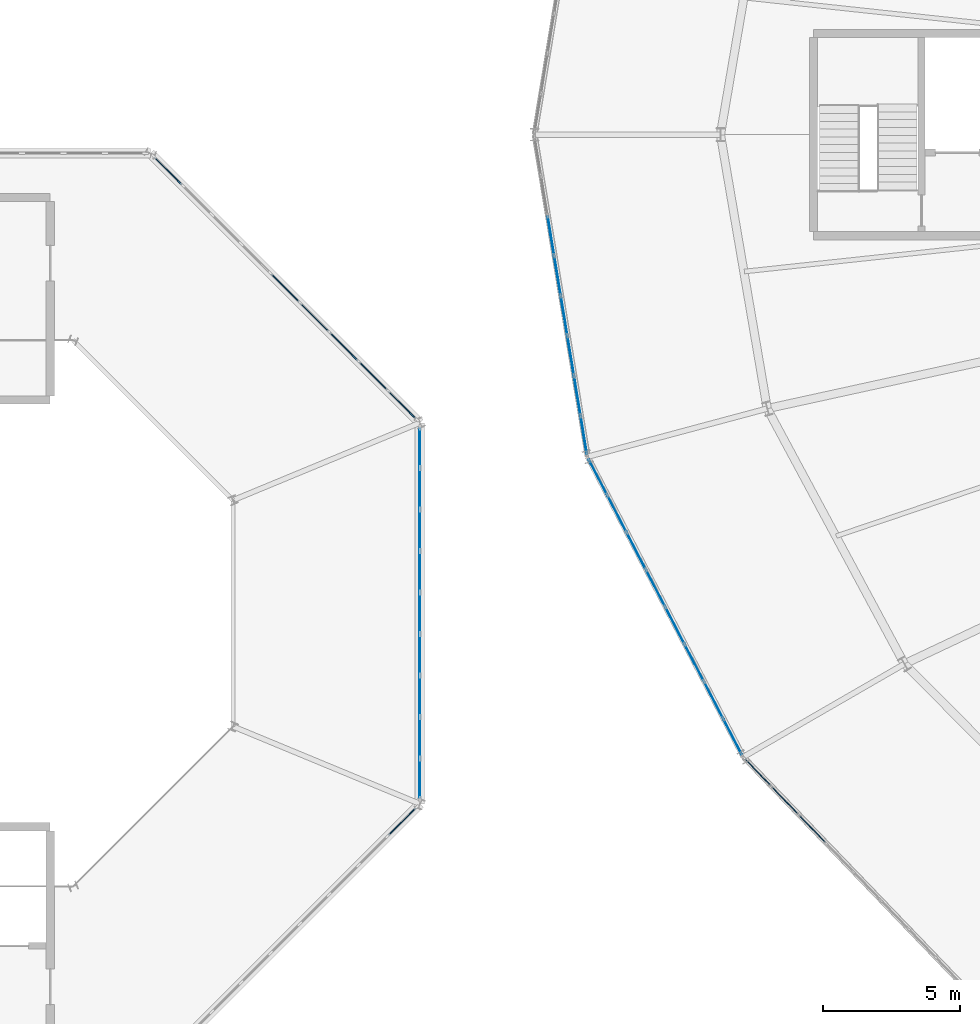
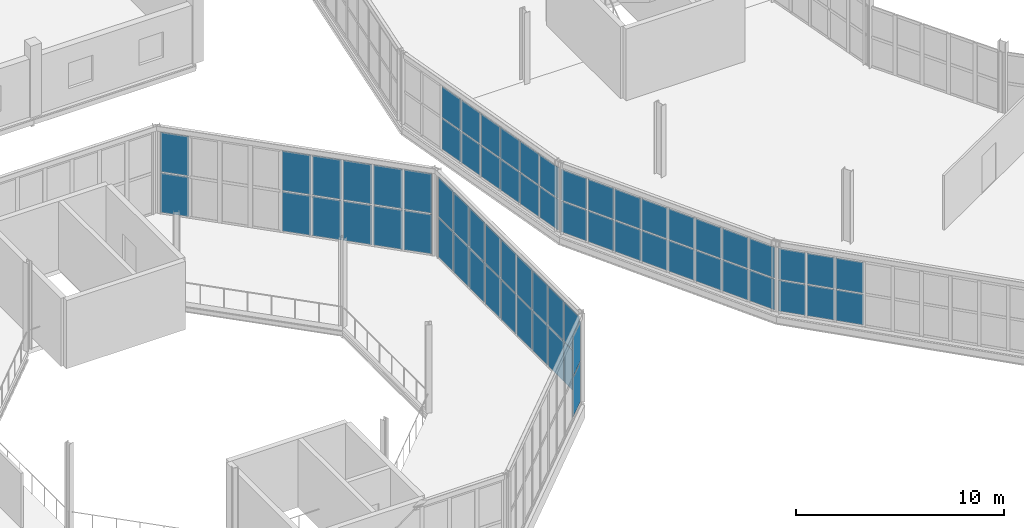
# One storey, part 112 of 161: 66 plates, 6 elements without a shape of their own.
"""IFC4 building model written with IfcOpenShell, lengths in metres."""

from ifc_helpers import new_model, si_unit, direction, frame, origin, origin_2d, place, context, subcontext, project, spatial, rectangle, extrude, material, layer, layer_set, type_object, element, aggregate, save


model = new_model("IFC4")

# Units and contexts
model_context = context("Model", 3, precision=1e-05, world=origin(), true_north=direction((0.0, 1.0)))
body_context = subcontext(model_context, "Body", "Model", "MODEL_VIEW")
ifc_project = project(units=[si_unit("LENGTHUNIT", "METRE"), si_unit("AREAUNIT", "SQUARE_METRE"), si_unit("VOLUMEUNIT", "CUBIC_METRE"), si_unit("PLANEANGLEUNIT", "RADIAN"), si_unit("MASSUNIT", "GRAM", prefix="KILO")], contexts=[model_context])

# Site, building, storey
site_placement = place(None, origin())
site = spatial("IfcSite", under=ifc_project, at=site_placement, CompositionType="ELEMENT")
building_placement = place(site_placement, origin())
building = spatial("IfcBuilding", under=site, at=building_placement, Name="Kildeholm Park Wholesale Market", CompositionType="ELEMENT")
storey_placement = place(building_placement, frame((0.0, 0.0, 5.39990234375)))
storey = spatial("IfcBuildingStorey", under=building, at=storey_placement, Name="L01", CompositionType="ELEMENT", Elevation=5.39990234375)

# Curtain wall, plates
ifc_material_1 = material(Name="Anodised aluminium and low-E double-glazed glass", Category="aluminium")
curtain_wall_type_1 = type_object("IfcCurtainWallType", Name="Market hall glazed arcade stick curtain wall CW-01", PredefinedType="NOTDEFINED", material=ifc_material_1)
curtain_wall_1_placement = place(storey_placement, origin())
curtain_wall_1 = element("IfcCurtainWall", 1, at=curtain_wall_1_placement, inside=storey, type_object=curtain_wall_type_1, Name="Curtain wall CW-V1-OT-12-1 CW-0059", PredefinedType="NOTDEFINED")
ifc_material_2 = material(Name="Double-glazed low-E insulated glass", Category="glass")
ifc_layer_1 = layer(ifc_material_2, 0.028076171875)
ifc_layer_set_1 = layer_set([ifc_layer_1], Name="Double-glazed low-E insulated glass")
plate_type_1 = type_object("IfcPlateType", Name="Curtain-wall panel CWP-1 28 mm", PredefinedType="CURTAIN_PANEL", material=ifc_layer_set_1)
plate_1_placement = place(storey_placement, frame((42.602783203125, 85.804443359375, 0.06494140625), z_axis=(0.0, 0.0, 1.0), x_axis=(0.162702713317, -0.98667513756, 0.0)))
plate_1 = element("IfcPlate", 2, at=plate_1_placement, type_object=plate_type_1, Name="CW-01 panel 3.1 PLT-0948", PredefinedType="CURTAIN_PANEL", context=body_context, shape_type="SweptSolid", body=[
    extrude(rectangle(XDim=1.4169921875, YDim=0.028076171875, at=origin_2d()), origin(), (0.0, 0.0, 1.0), 1.802490234375),
])
plate_2_placement = place(storey_placement, frame((42.602783203125, 85.804443359375, 1.9326171875), z_axis=(0.0, 0.0, 1.0), x_axis=(0.162702713317, -0.98667513756, 0.0)))
plate_2 = element("IfcPlate", 3, at=plate_2_placement, type_object=plate_type_1, Name="CW-01 panel 3.2 PLT-0949", PredefinedType="CURTAIN_PANEL", context=body_context, shape_type="SweptSolid", body=[
    extrude(rectangle(XDim=1.4169921875, YDim=0.028076171875, at=origin_2d()), origin(), (0.0, 0.0, 1.0), 1.802490234375),
])
plate_3_placement = place(storey_placement, frame((42.843994140625, 84.342041015625, 0.06494140625), z_axis=(0.0, 0.0, 1.0), x_axis=(0.162702713317, -0.98667513756, 0.0)))
plate_3 = element("IfcPlate", 4, at=plate_3_placement, type_object=plate_type_1, Name="CW-01 panel 4.1 PLT-0950", PredefinedType="CURTAIN_PANEL", context=body_context, shape_type="SweptSolid", body=[
    extrude(rectangle(XDim=1.4169921875, YDim=0.028076171875, at=origin_2d()), origin(), (0.0, 0.0, 1.0), 1.802490234375),
])
plate_4_placement = place(storey_placement, frame((42.843994140625, 84.342041015625, 1.9326171875), z_axis=(0.0, 0.0, 1.0), x_axis=(0.162702713317, -0.98667513756, 0.0)))
plate_4 = element("IfcPlate", 5, at=plate_4_placement, type_object=plate_type_1, Name="CW-01 panel 4.2 PLT-0951", PredefinedType="CURTAIN_PANEL", context=body_context, shape_type="SweptSolid", body=[
    extrude(rectangle(XDim=1.4169921875, YDim=0.028076171875, at=origin_2d()), origin(), (0.0, 0.0, 1.0), 1.802490234375),
])
plate_5_placement = place(storey_placement, frame((43.0849609375, 82.8798828125, 0.06494140625), z_axis=(0.0, 0.0, 1.0), x_axis=(0.162702713317, -0.98667513756, 0.0)))
plate_5 = element("IfcPlate", 6, at=plate_5_placement, type_object=plate_type_1, Name="CW-01 panel 5.1 PLT-0952", PredefinedType="CURTAIN_PANEL", context=body_context, shape_type="SweptSolid", body=[
    extrude(rectangle(XDim=1.4169921875, YDim=0.028076171875, at=origin_2d()), origin(), (0.0, 0.0, 1.0), 1.802490234375),
])
plate_6_placement = place(storey_placement, frame((43.0849609375, 82.8798828125, 1.9326171875), z_axis=(0.0, 0.0, 1.0), x_axis=(0.162702713317, -0.98667513756, 0.0)))
plate_6 = element("IfcPlate", 7, at=plate_6_placement, type_object=plate_type_1, Name="CW-01 panel 5.2 PLT-0953", PredefinedType="CURTAIN_PANEL", context=body_context, shape_type="SweptSolid", body=[
    extrude(rectangle(XDim=1.4169921875, YDim=0.028076171875, at=origin_2d()), origin(), (0.0, 0.0, 1.0), 1.802490234375),
])
plate_7_placement = place(storey_placement, frame((43.326171875, 81.417724609375, 0.06494140625), z_axis=(0.0, 0.0, 1.0), x_axis=(0.162702713317, -0.98667513756, 0.0)))
plate_7 = element("IfcPlate", 8, at=plate_7_placement, type_object=plate_type_1, Name="CW-01 panel 6.1 PLT-0954", PredefinedType="CURTAIN_PANEL", context=body_context, shape_type="SweptSolid", body=[
    extrude(rectangle(XDim=1.4169921875, YDim=0.028076171875, at=origin_2d()), origin(), (0.0, 0.0, 1.0), 1.802490234375),
])
plate_8_placement = place(storey_placement, frame((43.326171875, 81.417724609375, 1.9326171875), z_axis=(0.0, 0.0, 1.0), x_axis=(0.162702713317, -0.98667513756, 0.0)))
plate_8 = element("IfcPlate", 9, at=plate_8_placement, type_object=plate_type_1, Name="CW-01 panel 6.2 PLT-0955", PredefinedType="CURTAIN_PANEL", context=body_context, shape_type="SweptSolid", body=[
    extrude(rectangle(XDim=1.4169921875, YDim=0.028076171875, at=origin_2d()), origin(), (0.0, 0.0, 1.0), 1.802490234375),
])
plate_9_placement = place(storey_placement, frame((43.5673828125, 79.955322265625, 0.06494140625), z_axis=(0.0, 0.0, 1.0), x_axis=(0.162702713317, -0.98667513756, 0.0)))
plate_9 = element("IfcPlate", 10, at=plate_9_placement, type_object=plate_type_1, Name="CW-01 panel 7.1 PLT-0956", PredefinedType="CURTAIN_PANEL", context=body_context, shape_type="SweptSolid", body=[
    extrude(rectangle(XDim=1.4169921875, YDim=0.028076171875, at=origin_2d()), origin(), (0.0, 0.0, 1.0), 1.802490234375),
])
plate_10_placement = place(storey_placement, frame((43.5673828125, 79.955322265625, 1.9326171875), z_axis=(0.0, 0.0, 1.0), x_axis=(0.162702713317, -0.98667513756, 0.0)))
plate_10 = element("IfcPlate", 11, at=plate_10_placement, type_object=plate_type_1, Name="CW-01 panel 7.2 PLT-0957", PredefinedType="CURTAIN_PANEL", context=body_context, shape_type="SweptSolid", body=[
    extrude(rectangle(XDim=1.4169921875, YDim=0.028076171875, at=origin_2d()), origin(), (0.0, 0.0, 1.0), 1.802490234375),
])
plate_11_placement = place(storey_placement, frame((43.805908203125, 78.50927734375, 0.06494140625), z_axis=(0.0, 0.0, 1.0), x_axis=(0.162702713317, -0.98667513756, 0.0)))
plate_11 = element("IfcPlate", 12, at=plate_11_placement, type_object=plate_type_1, Name="CW-01 panel 8.1 PLT-0958", PredefinedType="CURTAIN_PANEL", context=body_context, shape_type="SweptSolid", body=[
    extrude(rectangle(XDim=1.384521484375, YDim=0.028076171875, at=origin_2d()), origin(), (0.0, 0.0, 1.0), 1.802490234375),
])
plate_12_placement = place(storey_placement, frame((43.805908203125, 78.50927734375, 1.9326171875), z_axis=(0.0, 0.0, 1.0), x_axis=(0.162702713317, -0.98667513756, 0.0)))
plate_12 = element("IfcPlate", 13, at=plate_12_placement, type_object=plate_type_1, Name="CW-01 panel 8.2 PLT-0959", PredefinedType="CURTAIN_PANEL", context=body_context, shape_type="SweptSolid", body=[
    extrude(rectangle(XDim=1.384521484375, YDim=0.028076171875, at=origin_2d()), origin(), (0.0, 0.0, 1.0), 1.802490234375),
])
aggregate(curtain_wall_1, [plate_1, plate_2, plate_3, plate_4, plate_5, plate_6, plate_7, plate_8, plate_9, plate_10, plate_11, plate_12])

curtain_wall_2_placement = place(storey_placement, origin())
curtain_wall_2 = element("IfcCurtainWall", 14, at=curtain_wall_2_placement, inside=storey, type_object=curtain_wall_type_1, Name="Curtain wall CW-V1-OT-13-1 CW-0064", PredefinedType="NOTDEFINED")
plate_13_placement = place(storey_placement, frame((44.316162109375, 76.990966796875, 0.06494140625), z_axis=(0.0, 0.0, 1.0), x_axis=(0.460514375909, -0.88765224586, 0.0)))
plate_13 = element("IfcPlate", 15, at=plate_13_placement, type_object=plate_type_1, Name="CW-01 panel 1.1 PLT-1004", PredefinedType="CURTAIN_PANEL", context=body_context, shape_type="SweptSolid", body=[
    extrude(rectangle(XDim=1.43798828125, YDim=0.028076171875, at=origin_2d()), origin(), (0.0, 0.0, 1.0), 1.802490234375),
])
plate_14_placement = place(storey_placement, frame((44.316162109375, 76.990966796875, 1.9326171875), z_axis=(0.0, 0.0, 1.0), x_axis=(0.460514375909, -0.88765224586, 0.0)))
plate_14 = element("IfcPlate", 16, at=plate_14_placement, type_object=plate_type_1, Name="CW-01 panel 1.2 PLT-1005", PredefinedType="CURTAIN_PANEL", context=body_context, shape_type="SweptSolid", body=[
    extrude(rectangle(XDim=1.43798828125, YDim=0.028076171875, at=origin_2d()), origin(), (0.0, 0.0, 1.0), 1.802490234375),
])
plate_15_placement = place(storey_placement, frame((45.015625, 75.642578125, 0.06494140625), z_axis=(0.0, 0.0, 1.0), x_axis=(0.460514375909, -0.88765224586, 0.0)))
plate_15 = element("IfcPlate", 17, at=plate_15_placement, type_object=plate_type_1, Name="CW-01 panel 2.1 PLT-1006", PredefinedType="CURTAIN_PANEL", context=body_context, shape_type="SweptSolid", body=[
    extrude(rectangle(XDim=1.470458984375, YDim=0.028076171875, at=origin_2d()), origin(), (0.0, 0.0, 1.0), 1.802490234375),
])
plate_16_placement = place(storey_placement, frame((45.015625, 75.642578125, 1.9326171875), z_axis=(0.0, 0.0, 1.0), x_axis=(0.460514375909, -0.88765224586, 0.0)))
plate_16 = element("IfcPlate", 18, at=plate_16_placement, type_object=plate_type_1, Name="CW-01 panel 2.2 PLT-1007", PredefinedType="CURTAIN_PANEL", context=body_context, shape_type="SweptSolid", body=[
    extrude(rectangle(XDim=1.470458984375, YDim=0.028076171875, at=origin_2d()), origin(), (0.0, 0.0, 1.0), 1.802490234375),
])
plate_17_placement = place(storey_placement, frame((45.722900390625, 74.279541015625, 0.06494140625), z_axis=(0.0, 0.0, 1.0), x_axis=(0.460514375909, -0.88765224586, 0.0)))
plate_17 = element("IfcPlate", 19, at=plate_17_placement, type_object=plate_type_1, Name="CW-01 panel 3.1 PLT-1008", PredefinedType="CURTAIN_PANEL", context=body_context, shape_type="SweptSolid", body=[
    extrude(rectangle(XDim=1.470458984375, YDim=0.028076171875, at=origin_2d()), origin(), (0.0, 0.0, 1.0), 1.802490234375),
])
plate_18_placement = place(storey_placement, frame((45.722900390625, 74.279541015625, 1.9326171875), z_axis=(0.0, 0.0, 1.0), x_axis=(0.460514375909, -0.88765224586, 0.0)))
plate_18 = element("IfcPlate", 20, at=plate_18_placement, type_object=plate_type_1, Name="CW-01 panel 3.2 PLT-1009", PredefinedType="CURTAIN_PANEL", context=body_context, shape_type="SweptSolid", body=[
    extrude(rectangle(XDim=1.470458984375, YDim=0.028076171875, at=origin_2d()), origin(), (0.0, 0.0, 1.0), 1.802490234375),
])
plate_19_placement = place(storey_placement, frame((46.429931640625, 72.91650390625, 0.06494140625), z_axis=(0.0, 0.0, 1.0), x_axis=(0.460514375909, -0.88765224586, 0.0)))
plate_19 = element("IfcPlate", 21, at=plate_19_placement, type_object=plate_type_1, Name="CW-01 panel 4.1 PLT-1010", PredefinedType="CURTAIN_PANEL", context=body_context, shape_type="SweptSolid", body=[
    extrude(rectangle(XDim=1.470458984375, YDim=0.028076171875, at=origin_2d()), origin(), (0.0, 0.0, 1.0), 1.802490234375),
])
plate_20_placement = place(storey_placement, frame((46.429931640625, 72.91650390625, 1.9326171875), z_axis=(0.0, 0.0, 1.0), x_axis=(0.460514375909, -0.88765224586, 0.0)))
plate_20 = element("IfcPlate", 22, at=plate_20_placement, type_object=plate_type_1, Name="CW-01 panel 4.2 PLT-1011", PredefinedType="CURTAIN_PANEL", context=body_context, shape_type="SweptSolid", body=[
    extrude(rectangle(XDim=1.470458984375, YDim=0.028076171875, at=origin_2d()), origin(), (0.0, 0.0, 1.0), 1.802490234375),
])
plate_21_placement = place(storey_placement, frame((47.136962890625, 71.553466796875, 0.06494140625), z_axis=(0.0, 0.0, 1.0), x_axis=(0.460514375909, -0.88765224586, 0.0)))
plate_21 = element("IfcPlate", 23, at=plate_21_placement, type_object=plate_type_1, Name="CW-01 panel 5.1 PLT-1012", PredefinedType="CURTAIN_PANEL", context=body_context, shape_type="SweptSolid", body=[
    extrude(rectangle(XDim=1.470458984375, YDim=0.028076171875, at=origin_2d()), origin(), (0.0, 0.0, 1.0), 1.802490234375),
])
plate_22_placement = place(storey_placement, frame((47.136962890625, 71.553466796875, 1.9326171875), z_axis=(0.0, 0.0, 1.0), x_axis=(0.460514375909, -0.88765224586, 0.0)))
plate_22 = element("IfcPlate", 24, at=plate_22_placement, type_object=plate_type_1, Name="CW-01 panel 5.2 PLT-1013", PredefinedType="CURTAIN_PANEL", context=body_context, shape_type="SweptSolid", body=[
    extrude(rectangle(XDim=1.470458984375, YDim=0.028076171875, at=origin_2d()), origin(), (0.0, 0.0, 1.0), 1.802490234375),
])
plate_23_placement = place(storey_placement, frame((47.84423828125, 70.1904296875, 0.06494140625), z_axis=(0.0, 0.0, 1.0), x_axis=(0.460514375909, -0.88765224586, 0.0)))
plate_23 = element("IfcPlate", 25, at=plate_23_placement, type_object=plate_type_1, Name="CW-01 panel 6.1 PLT-1014", PredefinedType="CURTAIN_PANEL", context=body_context, shape_type="SweptSolid", body=[
    extrude(rectangle(XDim=1.470458984375, YDim=0.028076171875, at=origin_2d()), origin(), (0.0, 0.0, 1.0), 1.802490234375),
])
plate_24_placement = place(storey_placement, frame((47.84423828125, 70.1904296875, 1.9326171875), z_axis=(0.0, 0.0, 1.0), x_axis=(0.460514375909, -0.88765224586, 0.0)))
plate_24 = element("IfcPlate", 26, at=plate_24_placement, type_object=plate_type_1, Name="CW-01 panel 6.2 PLT-1015", PredefinedType="CURTAIN_PANEL", context=body_context, shape_type="SweptSolid", body=[
    extrude(rectangle(XDim=1.470458984375, YDim=0.028076171875, at=origin_2d()), origin(), (0.0, 0.0, 1.0), 1.802490234375),
])
plate_25_placement = place(storey_placement, frame((48.55126953125, 68.827392578125, 0.06494140625), z_axis=(0.0, 0.0, 1.0), x_axis=(0.460514375909, -0.88765224586, 0.0)))
plate_25 = element("IfcPlate", 27, at=plate_25_placement, type_object=plate_type_1, Name="CW-01 panel 7.1 PLT-1016", PredefinedType="CURTAIN_PANEL", context=body_context, shape_type="SweptSolid", body=[
    extrude(rectangle(XDim=1.470458984375, YDim=0.028076171875, at=origin_2d()), origin(), (0.0, 0.0, 1.0), 1.802490234375),
])
plate_26_placement = place(storey_placement, frame((48.55126953125, 68.827392578125, 1.9326171875), z_axis=(0.0, 0.0, 1.0), x_axis=(0.460514375909, -0.88765224586, 0.0)))
plate_26 = element("IfcPlate", 28, at=plate_26_placement, type_object=plate_type_1, Name="CW-01 panel 7.2 PLT-1017", PredefinedType="CURTAIN_PANEL", context=body_context, shape_type="SweptSolid", body=[
    extrude(rectangle(XDim=1.470458984375, YDim=0.028076171875, at=origin_2d()), origin(), (0.0, 0.0, 1.0), 1.802490234375),
])
plate_27_placement = place(storey_placement, frame((49.2509765625, 67.47900390625, 0.06494140625), z_axis=(0.0, 0.0, 1.0), x_axis=(0.460514375909, -0.88765224586, 0.0)))
plate_27 = element("IfcPlate", 29, at=plate_27_placement, type_object=plate_type_1, Name="CW-01 panel 8.1 PLT-1018", PredefinedType="CURTAIN_PANEL", context=body_context, shape_type="SweptSolid", body=[
    extrude(rectangle(XDim=1.43798828125, YDim=0.028076171875, at=origin_2d()), origin(), (0.0, 0.0, 1.0), 1.802490234375),
])
plate_28_placement = place(storey_placement, frame((49.2509765625, 67.47900390625, 1.9326171875), z_axis=(0.0, 0.0, 1.0), x_axis=(0.460514375909, -0.88765224586, 0.0)))
plate_28 = element("IfcPlate", 30, at=plate_28_placement, type_object=plate_type_1, Name="CW-01 panel 8.2 PLT-1019", PredefinedType="CURTAIN_PANEL", context=body_context, shape_type="SweptSolid", body=[
    extrude(rectangle(XDim=1.43798828125, YDim=0.028076171875, at=origin_2d()), origin(), (0.0, 0.0, 1.0), 1.802490234375),
])
aggregate(curtain_wall_2, [plate_13, plate_14, plate_15, plate_16, plate_17, plate_18, plate_19, plate_20, plate_21, plate_22, plate_23, plate_24, plate_25, plate_26, plate_27, plate_28])

curtain_wall_3_placement = place(storey_placement, origin())
curtain_wall_3 = element("IfcCurtainWall", 31, at=curtain_wall_3_placement, inside=storey, type_object=curtain_wall_type_1, Name="Curtain wall CW-V1-OT-14-1 CW-0069", PredefinedType="NOTDEFINED")
plate_29_placement = place(storey_placement, frame((50.17041015625, 66.18603515625, 0.06494140625), z_axis=(0.0, 0.0, 1.0), x_axis=(0.69303795493, -0.720901097951, 0.0)))
plate_29 = element("IfcPlate", 32, at=plate_29_placement, type_object=plate_type_1, Name="CW-01 panel 1.1 PLT-1064", PredefinedType="CURTAIN_PANEL", context=body_context, shape_type="SweptSolid", body=[
    extrude(rectangle(XDim=1.345947265625, YDim=0.028076171875, at=origin_2d()), origin(), (0.0, 0.0, 1.0), 1.802490234375),
])
plate_30_placement = place(storey_placement, frame((50.17041015625, 66.18603515625, 1.9326171875), z_axis=(0.0, 0.0, 1.0), x_axis=(0.69303795493, -0.720901097951, 0.0)))
plate_30 = element("IfcPlate", 33, at=plate_30_placement, type_object=plate_type_1, Name="CW-01 panel 1.2 PLT-1065", PredefinedType="CURTAIN_PANEL", context=body_context, shape_type="SweptSolid", body=[
    extrude(rectangle(XDim=1.345947265625, YDim=0.028076171875, at=origin_2d()), origin(), (0.0, 0.0, 1.0), 1.802490234375),
])
plate_31_placement = place(storey_placement, frame((51.15966796875, 65.156982421875, 0.06494140625), z_axis=(0.0, 0.0, 1.0), x_axis=(0.69303795493, -0.720901097951, 0.0)))
plate_31 = element("IfcPlate", 34, at=plate_31_placement, type_object=plate_type_1, Name="CW-01 panel 2.1 PLT-1066", PredefinedType="CURTAIN_PANEL", context=body_context, shape_type="SweptSolid", body=[
    extrude(rectangle(XDim=1.378662109375, YDim=0.028076171875, at=origin_2d()), origin(), (0.0, 0.0, 1.0), 1.802490234375),
])
plate_32_placement = place(storey_placement, frame((51.15966796875, 65.156982421875, 1.9326171875), z_axis=(0.0, 0.0, 1.0), x_axis=(0.69303795493, -0.720901097951, 0.0)))
plate_32 = element("IfcPlate", 35, at=plate_32_placement, type_object=plate_type_1, Name="CW-01 panel 2.2 PLT-1067", PredefinedType="CURTAIN_PANEL", context=body_context, shape_type="SweptSolid", body=[
    extrude(rectangle(XDim=1.378662109375, YDim=0.028076171875, at=origin_2d()), origin(), (0.0, 0.0, 1.0), 1.802490234375),
])
plate_33_placement = place(storey_placement, frame((52.16015625, 64.116455078125, 0.06494140625), z_axis=(0.0, 0.0, 1.0), x_axis=(0.69303795493, -0.720901097951, 0.0)))
plate_33 = element("IfcPlate", 36, at=plate_33_placement, type_object=plate_type_1, Name="CW-01 panel 3.1 PLT-1068", PredefinedType="CURTAIN_PANEL", context=body_context, shape_type="SweptSolid", body=[
    extrude(rectangle(XDim=1.378662109375, YDim=0.028076171875, at=origin_2d()), origin(), (0.0, 0.0, 1.0), 1.802490234375),
])
plate_34_placement = place(storey_placement, frame((52.16015625, 64.116455078125, 1.9326171875), z_axis=(0.0, 0.0, 1.0), x_axis=(0.69303795493, -0.720901097951, 0.0)))
plate_34 = element("IfcPlate", 37, at=plate_34_placement, type_object=plate_type_1, Name="CW-01 panel 3.2 PLT-1069", PredefinedType="CURTAIN_PANEL", context=body_context, shape_type="SweptSolid", body=[
    extrude(rectangle(XDim=1.378662109375, YDim=0.028076171875, at=origin_2d()), origin(), (0.0, 0.0, 1.0), 1.802490234375),
])
aggregate(curtain_wall_3, [plate_29, plate_30, plate_31, plate_32, plate_33, plate_34])

curtain_wall_type_2 = type_object("IfcCurtainWallType", Name="Clerestory daylight stick curtain wall CW-02", PredefinedType="NOTDEFINED", material=ifc_material_1)
curtain_wall_4_placement = place(storey_placement, origin())
curtain_wall_4 = element("IfcCurtainWall", 38, at=curtain_wall_4_placement, inside=storey, type_object=curtain_wall_type_2, Name="Curtain wall CW-V3-L01-00 CW-0135", PredefinedType="NOTDEFINED")
ifc_material_3 = material(Name="Triple-glazed solar-control glass", Category="glass")
ifc_layer_2 = layer(ifc_material_3, 0.035888671875)
ifc_layer_set_2 = layer_set([ifc_layer_2], Name="Triple-glazed solar-control glass")
plate_type_2 = type_object("IfcPlateType", Name="Curtain-wall panel CWP-2 36 mm", PredefinedType="CURTAIN_PANEL", material=ifc_layer_set_2)
plate_35_placement = place(storey_placement, frame((37.16650390625, 79.613525390625, 0.0751953125), z_axis=(0.0, 0.0, 1.0), x_axis=(-0.707106781187, 0.707106781187, 0.0)))
plate_35 = element("IfcPlate", 39, at=plate_35_placement, type_object=plate_type_2, Name="CW-02 panel 1.1 PLT-1980", PredefinedType="CURTAIN_PANEL", context=body_context, shape_type="SweptSolid", body=[
    extrude(rectangle(XDim=1.404052734375, YDim=0.035888671875, at=origin_2d()), origin(), (0.0, 0.0, 1.0), 2.3125),
])
plate_36_placement = place(storey_placement, frame((37.16650390625, 79.613525390625, 2.462646484375), z_axis=(0.0, 0.0, 1.0), x_axis=(-0.707106781187, 0.707106781187, 0.0)))
plate_36 = element("IfcPlate", 40, at=plate_36_placement, type_object=plate_type_2, Name="CW-02 panel 1.2 PLT-1981", PredefinedType="CURTAIN_PANEL", context=body_context, shape_type="SweptSolid", body=[
    extrude(rectangle(XDim=1.404052734375, YDim=0.035888671875, at=origin_2d()), origin(), (0.0, 0.0, 1.0), 2.3125),
])
plate_37_placement = place(storey_placement, frame((36.107421875, 80.672607421875, 0.0751953125), z_axis=(0.0, 0.0, 1.0), x_axis=(-0.707106781187, 0.707106781187, 0.0)))
plate_37 = element("IfcPlate", 41, at=plate_37_placement, type_object=plate_type_2, Name="CW-02 panel 2.1 PLT-1982", PredefinedType="CURTAIN_PANEL", context=body_context, shape_type="SweptSolid", body=[
    extrude(rectangle(XDim=1.441650390625, YDim=0.035888671875, at=origin_2d()), origin(), (0.0, 0.0, 1.0), 2.3125),
])
plate_38_placement = place(storey_placement, frame((36.107421875, 80.672607421875, 2.462646484375), z_axis=(0.0, 0.0, 1.0), x_axis=(-0.707106781187, 0.707106781187, 0.0)))
plate_38 = element("IfcPlate", 42, at=plate_38_placement, type_object=plate_type_2, Name="CW-02 panel 2.2 PLT-1983", PredefinedType="CURTAIN_PANEL", context=body_context, shape_type="SweptSolid", body=[
    extrude(rectangle(XDim=1.441650390625, YDim=0.035888671875, at=origin_2d()), origin(), (0.0, 0.0, 1.0), 2.3125),
])
plate_39_placement = place(storey_placement, frame((35.034912109375, 81.7451171875, 0.0751953125), z_axis=(0.0, 0.0, 1.0), x_axis=(-0.707106781187, 0.707106781187, 0.0)))
plate_39 = element("IfcPlate", 43, at=plate_39_placement, type_object=plate_type_2, Name="CW-02 panel 3.1 PLT-1984", PredefinedType="CURTAIN_PANEL", context=body_context, shape_type="SweptSolid", body=[
    extrude(rectangle(XDim=1.441650390625, YDim=0.035888671875, at=origin_2d()), origin(), (0.0, 0.0, 1.0), 2.3125),
])
plate_40_placement = place(storey_placement, frame((35.034912109375, 81.7451171875, 2.462646484375), z_axis=(0.0, 0.0, 1.0), x_axis=(-0.707106781187, 0.707106781187, 0.0)))
plate_40 = element("IfcPlate", 44, at=plate_40_placement, type_object=plate_type_2, Name="CW-02 panel 3.2 PLT-1985", PredefinedType="CURTAIN_PANEL", context=body_context, shape_type="SweptSolid", body=[
    extrude(rectangle(XDim=1.441650390625, YDim=0.035888671875, at=origin_2d()), origin(), (0.0, 0.0, 1.0), 2.3125),
])
plate_41_placement = place(storey_placement, frame((33.96240234375, 82.817626953125, 0.0751953125), z_axis=(0.0, 0.0, 1.0), x_axis=(-0.707106781187, 0.707106781187, 0.0)))
plate_41 = element("IfcPlate", 45, at=plate_41_placement, type_object=plate_type_2, Name="CW-02 panel 4.1 PLT-1986", PredefinedType="CURTAIN_PANEL", context=body_context, shape_type="SweptSolid", body=[
    extrude(rectangle(XDim=1.441650390625, YDim=0.035888671875, at=origin_2d()), origin(), (0.0, 0.0, 1.0), 2.3125),
])
plate_42_placement = place(storey_placement, frame((33.96240234375, 82.817626953125, 2.462646484375), z_axis=(0.0, 0.0, 1.0), x_axis=(-0.707106781187, 0.707106781187, 0.0)))
plate_42 = element("IfcPlate", 46, at=plate_42_placement, type_object=plate_type_2, Name="CW-02 panel 4.2 PLT-1987", PredefinedType="CURTAIN_PANEL", context=body_context, shape_type="SweptSolid", body=[
    extrude(rectangle(XDim=1.441650390625, YDim=0.035888671875, at=origin_2d()), origin(), (0.0, 0.0, 1.0), 2.3125),
])
plate_43_placement = place(storey_placement, frame((32.889892578125, 83.889892578125, 0.0751953125), z_axis=(0.0, 0.0, 1.0), x_axis=(-0.707106781187, 0.707106781187, 0.0)))
plate_43 = element("IfcPlate", 47, at=plate_43_placement, type_object=plate_type_2, Name="CW-02 panel 5.1 PLT-1988", PredefinedType="CURTAIN_PANEL", context=body_context, shape_type="SweptSolid", body=[
    extrude(rectangle(XDim=1.441650390625, YDim=0.035888671875, at=origin_2d()), origin(), (0.0, 0.0, 1.0), 2.3125),
])
plate_44_placement = place(storey_placement, frame((32.889892578125, 83.889892578125, 2.462646484375), z_axis=(0.0, 0.0, 1.0), x_axis=(-0.707106781187, 0.707106781187, 0.0)))
plate_44 = element("IfcPlate", 48, at=plate_44_placement, type_object=plate_type_2, Name="CW-02 panel 5.2 PLT-1989", PredefinedType="CURTAIN_PANEL", context=body_context, shape_type="SweptSolid", body=[
    extrude(rectangle(XDim=1.441650390625, YDim=0.035888671875, at=origin_2d()), origin(), (0.0, 0.0, 1.0), 2.3125),
])
plate_45_placement = place(storey_placement, frame((28.613525390625, 88.16650390625, 0.0751953125), z_axis=(0.0, 0.0, 1.0), x_axis=(-0.707106781187, 0.707106781187, 0.0)))
plate_45 = element("IfcPlate", 49, at=plate_45_placement, type_object=plate_type_2, Name="CW-02 panel 9.1 PLT-1996", PredefinedType="CURTAIN_PANEL", context=body_context, shape_type="SweptSolid", body=[
    extrude(rectangle(XDim=1.404052734375, YDim=0.035888671875, at=origin_2d()), origin(), (0.0, 0.0, 1.0), 2.3125),
])
plate_46_placement = place(storey_placement, frame((28.613525390625, 88.16650390625, 2.462646484375), z_axis=(0.0, 0.0, 1.0), x_axis=(-0.707106781187, 0.707106781187, 0.0)))
plate_46 = element("IfcPlate", 50, at=plate_46_placement, type_object=plate_type_2, Name="CW-02 panel 9.2 PLT-1997", PredefinedType="CURTAIN_PANEL", context=body_context, shape_type="SweptSolid", body=[
    extrude(rectangle(XDim=1.404052734375, YDim=0.035888671875, at=origin_2d()), origin(), (0.0, 0.0, 1.0), 2.3125),
])
aggregate(curtain_wall_4, [plate_35, plate_36, plate_37, plate_38, plate_39, plate_40, plate_41, plate_42, plate_43, plate_44, plate_45, plate_46])

curtain_wall_5_placement = place(storey_placement, origin())
curtain_wall_5 = element("IfcCurtainWall", 51, at=curtain_wall_5_placement, inside=storey, type_object=curtain_wall_type_2, Name="Curtain wall CW-V3-L01-06 CW-0141", PredefinedType="NOTDEFINED")
plate_47_placement = place(storey_placement, frame((37.16650390625, 64.386474609375, 0.0751953125), z_axis=(0.0, 0.0, 1.0), x_axis=(0.707106781187, 0.707106781187, 0.0)))
plate_47 = element("IfcPlate", 52, at=plate_47_placement, type_object=plate_type_2, Name="CW-02 panel 9.1 PLT-2104", PredefinedType="CURTAIN_PANEL", context=body_context, shape_type="SweptSolid", body=[
    extrude(rectangle(XDim=1.404052734375, YDim=0.035888671875, at=origin_2d()), origin(), (0.0, 0.0, 1.0), 2.3125),
])
plate_48_placement = place(storey_placement, frame((37.16650390625, 64.386474609375, 2.462646484375), z_axis=(0.0, 0.0, 1.0), x_axis=(0.707106781187, 0.707106781187, 0.0)))
plate_48 = element("IfcPlate", 53, at=plate_48_placement, type_object=plate_type_2, Name="CW-02 panel 9.2 PLT-2105", PredefinedType="CURTAIN_PANEL", context=body_context, shape_type="SweptSolid", body=[
    extrude(rectangle(XDim=1.404052734375, YDim=0.035888671875, at=origin_2d()), origin(), (0.0, 0.0, 1.0), 2.3125),
])
aggregate(curtain_wall_5, [plate_47, plate_48])

curtain_wall_6_placement = place(storey_placement, origin())
curtain_wall_6 = element("IfcCurtainWall", 54, at=curtain_wall_6_placement, inside=storey, type_object=curtain_wall_type_2, Name="Curtain wall CW-V3-L01-07 CW-0142", PredefinedType="NOTDEFINED")
plate_49_placement = place(storey_placement, frame((37.81494140625, 65.9521484375, 0.0751953125), z_axis=(0.0, 0.0, 1.0), x_axis=(0.0, 1.0, 0.0)))
plate_49 = element("IfcPlate", 55, at=plate_49_placement, type_object=plate_type_2, Name="CW-02 panel 1.1 PLT-2106", PredefinedType="CURTAIN_PANEL", context=body_context, shape_type="SweptSolid", body=[
    extrude(rectangle(XDim=1.404052734375, YDim=0.035888671875, at=origin_2d()), origin(), (0.0, 0.0, 1.0), 2.3125),
])
plate_50_placement = place(storey_placement, frame((37.81494140625, 65.9521484375, 2.462646484375), z_axis=(0.0, 0.0, 1.0), x_axis=(0.0, 1.0, 0.0)))
plate_50 = element("IfcPlate", 56, at=plate_50_placement, type_object=plate_type_2, Name="CW-02 panel 1.2 PLT-2107", PredefinedType="CURTAIN_PANEL", context=body_context, shape_type="SweptSolid", body=[
    extrude(rectangle(XDim=1.404052734375, YDim=0.035888671875, at=origin_2d()), origin(), (0.0, 0.0, 1.0), 2.3125),
])
plate_51_placement = place(storey_placement, frame((37.81494140625, 67.449951171875, 0.0751953125), z_axis=(0.0, 0.0, 1.0), x_axis=(0.0, 1.0, 0.0)))
plate_51 = element("IfcPlate", 57, at=plate_51_placement, type_object=plate_type_2, Name="CW-02 panel 2.1 PLT-2108", PredefinedType="CURTAIN_PANEL", context=body_context, shape_type="SweptSolid", body=[
    extrude(rectangle(XDim=1.441650390625, YDim=0.035888671875, at=origin_2d()), origin(), (0.0, 0.0, 1.0), 2.3125),
])
plate_52_placement = place(storey_placement, frame((37.81494140625, 67.449951171875, 2.462646484375), z_axis=(0.0, 0.0, 1.0), x_axis=(0.0, 1.0, 0.0)))
plate_52 = element("IfcPlate", 58, at=plate_52_placement, type_object=plate_type_2, Name="CW-02 panel 2.2 PLT-2109", PredefinedType="CURTAIN_PANEL", context=body_context, shape_type="SweptSolid", body=[
    extrude(rectangle(XDim=1.441650390625, YDim=0.035888671875, at=origin_2d()), origin(), (0.0, 0.0, 1.0), 2.3125),
])
plate_53_placement = place(storey_placement, frame((37.81494140625, 68.966552734375, 0.0751953125), z_axis=(0.0, 0.0, 1.0), x_axis=(0.0, 1.0, 0.0)))
plate_53 = element("IfcPlate", 59, at=plate_53_placement, type_object=plate_type_2, Name="CW-02 panel 3.1 PLT-2110", PredefinedType="CURTAIN_PANEL", context=body_context, shape_type="SweptSolid", body=[
    extrude(rectangle(XDim=1.441650390625, YDim=0.035888671875, at=origin_2d()), origin(), (0.0, 0.0, 1.0), 2.3125),
])
plate_54_placement = place(storey_placement, frame((37.81494140625, 68.966552734375, 2.462646484375), z_axis=(0.0, 0.0, 1.0), x_axis=(0.0, 1.0, 0.0)))
plate_54 = element("IfcPlate", 60, at=plate_54_placement, type_object=plate_type_2, Name="CW-02 panel 3.2 PLT-2111", PredefinedType="CURTAIN_PANEL", context=body_context, shape_type="SweptSolid", body=[
    extrude(rectangle(XDim=1.441650390625, YDim=0.035888671875, at=origin_2d()), origin(), (0.0, 0.0, 1.0), 2.3125),
])
plate_55_placement = place(storey_placement, frame((37.81494140625, 70.4833984375, 0.0751953125), z_axis=(0.0, 0.0, 1.0), x_axis=(0.0, 1.0, 0.0)))
plate_55 = element("IfcPlate", 61, at=plate_55_placement, type_object=plate_type_2, Name="CW-02 panel 4.1 PLT-2112", PredefinedType="CURTAIN_PANEL", context=body_context, shape_type="SweptSolid", body=[
    extrude(rectangle(XDim=1.441650390625, YDim=0.035888671875, at=origin_2d()), origin(), (0.0, 0.0, 1.0), 2.3125),
])
plate_56_placement = place(storey_placement, frame((37.81494140625, 70.4833984375, 2.462646484375), z_axis=(0.0, 0.0, 1.0), x_axis=(0.0, 1.0, 0.0)))
plate_56 = element("IfcPlate", 62, at=plate_56_placement, type_object=plate_type_2, Name="CW-02 panel 4.2 PLT-2113", PredefinedType="CURTAIN_PANEL", context=body_context, shape_type="SweptSolid", body=[
    extrude(rectangle(XDim=1.441650390625, YDim=0.035888671875, at=origin_2d()), origin(), (0.0, 0.0, 1.0), 2.3125),
])
plate_57_placement = place(storey_placement, frame((37.81494140625, 72.0, 0.0751953125), z_axis=(0.0, 0.0, 1.0), x_axis=(0.0, 1.0, 0.0)))
plate_57 = element("IfcPlate", 63, at=plate_57_placement, type_object=plate_type_2, Name="CW-02 panel 5.1 PLT-2114", PredefinedType="CURTAIN_PANEL", context=body_context, shape_type="SweptSolid", body=[
    extrude(rectangle(XDim=1.441650390625, YDim=0.035888671875, at=origin_2d()), origin(), (0.0, 0.0, 1.0), 2.3125),
])
plate_58_placement = place(storey_placement, frame((37.81494140625, 72.0, 2.462646484375), z_axis=(0.0, 0.0, 1.0), x_axis=(0.0, 1.0, 0.0)))
plate_58 = element("IfcPlate", 64, at=plate_58_placement, type_object=plate_type_2, Name="CW-02 panel 5.2 PLT-2115", PredefinedType="CURTAIN_PANEL", context=body_context, shape_type="SweptSolid", body=[
    extrude(rectangle(XDim=1.441650390625, YDim=0.035888671875, at=origin_2d()), origin(), (0.0, 0.0, 1.0), 2.3125),
])
plate_59_placement = place(storey_placement, frame((37.81494140625, 73.5166015625, 0.0751953125), z_axis=(0.0, 0.0, 1.0), x_axis=(0.0, 1.0, 0.0)))
plate_59 = element("IfcPlate", 65, at=plate_59_placement, type_object=plate_type_2, Name="CW-02 panel 6.1 PLT-2116", PredefinedType="CURTAIN_PANEL", context=body_context, shape_type="SweptSolid", body=[
    extrude(rectangle(XDim=1.441650390625, YDim=0.035888671875, at=origin_2d()), origin(), (0.0, 0.0, 1.0), 2.3125),
])
plate_60_placement = place(storey_placement, frame((37.81494140625, 73.5166015625, 2.462646484375), z_axis=(0.0, 0.0, 1.0), x_axis=(0.0, 1.0, 0.0)))
plate_60 = element("IfcPlate", 66, at=plate_60_placement, type_object=plate_type_2, Name="CW-02 panel 6.2 PLT-2117", PredefinedType="CURTAIN_PANEL", context=body_context, shape_type="SweptSolid", body=[
    extrude(rectangle(XDim=1.441650390625, YDim=0.035888671875, at=origin_2d()), origin(), (0.0, 0.0, 1.0), 2.3125),
])
plate_61_placement = place(storey_placement, frame((37.81494140625, 75.033447265625, 0.0751953125), z_axis=(0.0, 0.0, 1.0), x_axis=(0.0, 1.0, 0.0)))
plate_61 = element("IfcPlate", 67, at=plate_61_placement, type_object=plate_type_2, Name="CW-02 panel 7.1 PLT-2118", PredefinedType="CURTAIN_PANEL", context=body_context, shape_type="SweptSolid", body=[
    extrude(rectangle(XDim=1.441650390625, YDim=0.035888671875, at=origin_2d()), origin(), (0.0, 0.0, 1.0), 2.3125),
])
plate_62_placement = place(storey_placement, frame((37.81494140625, 75.033447265625, 2.462646484375), z_axis=(0.0, 0.0, 1.0), x_axis=(0.0, 1.0, 0.0)))
plate_62 = element("IfcPlate", 68, at=plate_62_placement, type_object=plate_type_2, Name="CW-02 panel 7.2 PLT-2119", PredefinedType="CURTAIN_PANEL", context=body_context, shape_type="SweptSolid", body=[
    extrude(rectangle(XDim=1.441650390625, YDim=0.035888671875, at=origin_2d()), origin(), (0.0, 0.0, 1.0), 2.3125),
])
plate_63_placement = place(storey_placement, frame((37.81494140625, 76.550048828125, 0.0751953125), z_axis=(0.0, 0.0, 1.0), x_axis=(0.0, 1.0, 0.0)))
plate_63 = element("IfcPlate", 69, at=plate_63_placement, type_object=plate_type_2, Name="CW-02 panel 8.1 PLT-2120", PredefinedType="CURTAIN_PANEL", context=body_context, shape_type="SweptSolid", body=[
    extrude(rectangle(XDim=1.441650390625, YDim=0.035888671875, at=origin_2d()), origin(), (0.0, 0.0, 1.0), 2.3125),
])
plate_64_placement = place(storey_placement, frame((37.81494140625, 76.550048828125, 2.462646484375), z_axis=(0.0, 0.0, 1.0), x_axis=(0.0, 1.0, 0.0)))
plate_64 = element("IfcPlate", 70, at=plate_64_placement, type_object=plate_type_2, Name="CW-02 panel 8.2 PLT-2121", PredefinedType="CURTAIN_PANEL", context=body_context, shape_type="SweptSolid", body=[
    extrude(rectangle(XDim=1.441650390625, YDim=0.035888671875, at=origin_2d()), origin(), (0.0, 0.0, 1.0), 2.3125),
])
plate_65_placement = place(storey_placement, frame((37.81494140625, 78.0478515625, 0.0751953125), z_axis=(0.0, 0.0, 1.0), x_axis=(0.0, 1.0, 0.0)))
plate_65 = element("IfcPlate", 71, at=plate_65_placement, type_object=plate_type_2, Name="CW-02 panel 9.1 PLT-2122", PredefinedType="CURTAIN_PANEL", context=body_context, shape_type="SweptSolid", body=[
    extrude(rectangle(XDim=1.404052734375, YDim=0.035888671875, at=origin_2d()), origin(), (0.0, 0.0, 1.0), 2.3125),
])
plate_66_placement = place(storey_placement, frame((37.81494140625, 78.0478515625, 2.462646484375), z_axis=(0.0, 0.0, 1.0), x_axis=(0.0, 1.0, 0.0)))
plate_66 = element("IfcPlate", 72, at=plate_66_placement, type_object=plate_type_2, Name="CW-02 panel 9.2 PLT-2123", PredefinedType="CURTAIN_PANEL", context=body_context, shape_type="SweptSolid", body=[
    extrude(rectangle(XDim=1.404052734375, YDim=0.035888671875, at=origin_2d()), origin(), (0.0, 0.0, 1.0), 2.3125),
])
aggregate(curtain_wall_6, [plate_49, plate_50, plate_51, plate_52, plate_53, plate_54, plate_55, plate_56, plate_57, plate_58, plate_59, plate_60, plate_61, plate_62, plate_63, plate_64, plate_65, plate_66])

save(model, "model.ifc")
